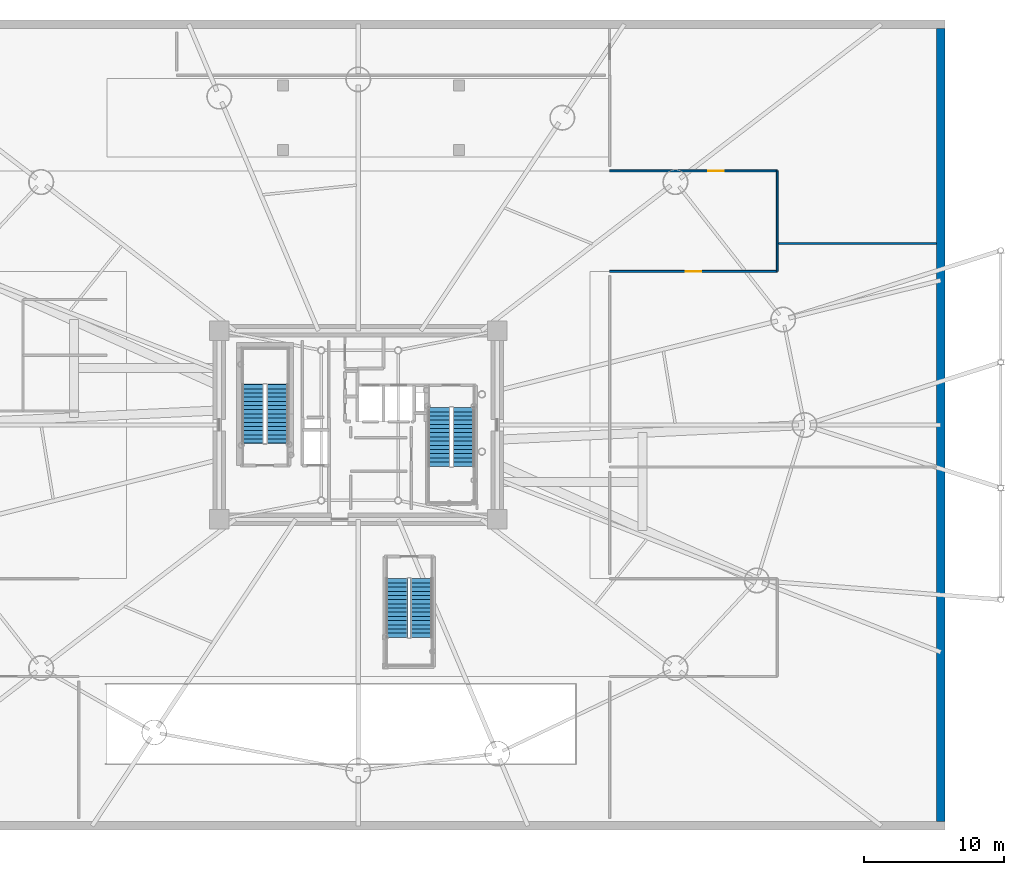
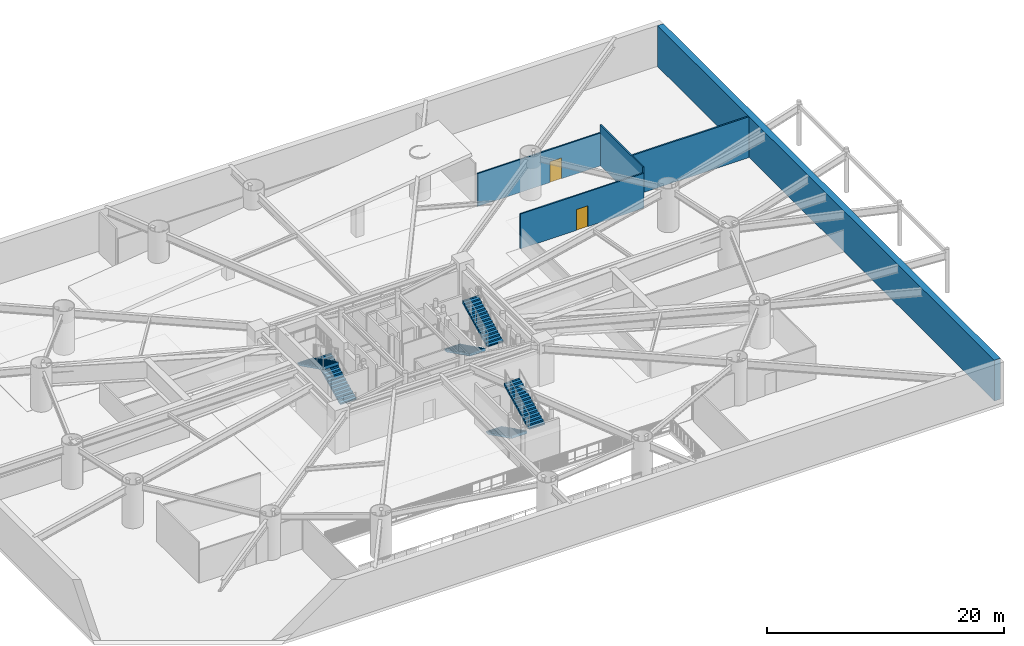
# One storey, part 12 of 21: 6 stair flights, 5 walls, 2 doors, 2 openings, 3 elements without a shape of their own.
"""IFC4 building model written with IfcOpenShell, lengths in metres."""

from ifc_helpers import new_model, si_unit, direction, frame, frame_2d, origin, origin_2d, place, context, subcontext, project, spatial, polyline, rectangle, outline, extrude, source, transform, mapped, material, layer, layer_set, type_object, element, fill, aggregate, save


model = new_model("IFC4")

# Units and contexts
model_context = context("Model", 3, precision=1e-05, world=origin(), true_north=direction((0.0, 1.0)))
body_context = subcontext(model_context, "Body", "Model", "MODEL_VIEW")
ifc_project = project(units=[si_unit("LENGTHUNIT", "METRE"), si_unit("AREAUNIT", "SQUARE_METRE"), si_unit("VOLUMEUNIT", "CUBIC_METRE"), si_unit("PLANEANGLEUNIT", "RADIAN"), si_unit("MASSUNIT", "GRAM", prefix="KILO")], contexts=[model_context])

# Site, building, storey
site_placement = place(None, origin())
site = spatial("IfcSite", under=ifc_project, at=site_placement, CompositionType="ELEMENT")
building_placement = place(site_placement, origin())
building = spatial("IfcBuilding", under=site, at=building_placement, Name="Linh Dai School and Residence Tower", CompositionType="ELEMENT")
storey_placement = place(building_placement, frame((0.0, 0.0, -4.5)))
storey = spatial("IfcBuildingStorey", under=building, at=storey_placement, Name="B01", CompositionType="ELEMENT", Elevation=-4.5)

# Wall, opening, door
ifc_material_1 = material(Name="Autoclaved Aerated Concrete Blockwork", Category="masonry")
ifc_layer_1 = layer(ifc_material_1, 0.135009765625)
ifc_layer_set_1 = layer_set([ifc_layer_1], Name="Autoclaved Aerated Concrete Blockwork")
wall_type_1 = type_object("IfcWallType", Name="IW-CORR-135-EI90", PredefinedType="PARTITIONING", material=ifc_layer_set_1)
wall_1_placement = place(storey_placement, frame((54.0, 38.0, 0.0), z_axis=(0.0, 0.0, 1.0), x_axis=(1.0, 0.0, 0.0)))
wall_1 = element("IfcWall", 1, at=wall_1_placement, inside=storey, type_object=wall_type_1, Name="B01 Interior Partition Wall 039", PredefinedType="PARTITIONING", context=body_context, shape_type="SweptSolid", body=[
    extrude(rectangle(XDim=12.0, YDim=0.135009765625, at=frame_2d((6.0, 0.0))), origin(), (0.0, 0.0, 1.0), 3.5849609375),
])
opening_1_placement = place(wall_1_placement, frame((5.449951171875, 0.0, 0.0)))
opening_1 = element("IfcOpeningElement", 2, at=opening_1_placement, cuts=wall_1, Name="Opening D07", PredefinedType="OPENING", context=body_context, shape_type="SweptSolid", body=[
    extrude(rectangle(XDim=1.10009765625, YDim=2.14990234375, at=origin_2d()), frame((0.550048828125, 0.07763671875, 1.074951171875), z_axis=(0.0, -1.0, 0.0), x_axis=(1.0, 0.0, 0.0)), (0.0, 0.0, 1.0), 0.155029296875),
])
ifc_material_2 = material(Name="Fire-Rated Louvred Steel Plant Door", Category="steel")
door_type = type_object("IfcDoorType", Name="DR-PLT-1100x2150-FD60S", OperationType="NOTDEFINED", PredefinedType="DOOR", material=ifc_material_2)
shared_shape_1 = source(origin(), body_context, "Body", "SweptSolid", [
    extrude(rectangle(XDim=1.10009765625, YDim=2.14990234375, at=origin_2d()), frame((0.550048828125, 0.02490234375, 1.074951171875), z_axis=(0.0, -1.0, 0.0), x_axis=(1.0, 0.0, 0.0)), (0.0, 0.0, 1.0), 0.050048828125),
])
door_1_placement = place(opening_1_placement, origin())
door_1 = element("IfcDoor", 3, at=door_1_placement, inside=storey, type_object=door_type, Name="B01 Chilled Refuse Compaction and Recycling Room Door", OperationType="SINGLE_SWING_LEFT", OverallHeight=2.14990234375, OverallWidth=1.10009765625, PredefinedType="DOOR", context=body_context, shape_type="MappedRepresentation", body=[
    mapped(shared_shape_1, transform((0.0, 0.0, 0.0), x_axis=(1.0, 0.0, 0.0), y_axis=(0.0, 1.0, 0.0), z_axis=(0.0, 0.0, 1.0), scale=1.0)),
])
fill(opening_1, door_1)

wall_2_placement = place(storey_placement, frame((54.0, 45.199951171875, 0.0), z_axis=(0.0, 0.0, 1.0), x_axis=(1.0, 0.0, 0.0)))
wall_2 = element("IfcWall", 4, at=wall_2_placement, inside=storey, type_object=wall_type_1, Name="B01 Interior Partition Wall 040", PredefinedType="PARTITIONING", context=body_context, shape_type="SweptSolid", body=[
    extrude(rectangle(XDim=12.0, YDim=0.135009765625, at=frame_2d((6.0, 0.0))), origin(), (0.0, 0.0, 1.0), 3.385009765625),
])
opening_2_placement = place(wall_2_placement, frame((7.049072265625, 0.0, 0.0)))
opening_2 = element("IfcOpeningElement", 5, at=opening_2_placement, cuts=wall_2, Name="Opening D07", PredefinedType="OPENING", context=body_context, shape_type="SweptSolid", body=[
    extrude(rectangle(XDim=1.10009765625, YDim=2.14990234375, at=origin_2d()), frame((0.550048828125, 0.07763671875, 1.074951171875), z_axis=(0.0, -1.0, 0.0), x_axis=(1.0, 0.0, 0.0)), (0.0, 0.0, 1.0), 0.155029296875),
])
door_2_placement = place(opening_2_placement, origin())
door_2 = element("IfcDoor", 6, at=door_2_placement, inside=storey, type_object=door_type, Name="B01 22 kV EVN Transformer Substation and LV Main Switchboard Door", OperationType="SINGLE_SWING_RIGHT", OverallHeight=2.14990234375, OverallWidth=1.10009765625, PredefinedType="DOOR", context=body_context, shape_type="MappedRepresentation", body=[
    mapped(shared_shape_1, transform((0.0, 0.0, 0.0), x_axis=(1.0, 0.0, 0.0), y_axis=(0.0, 1.0, 0.0), z_axis=(0.0, 0.0, 1.0), scale=1.0)),
])
fill(opening_2, door_2)

# Walls
wall_3_placement = place(storey_placement, frame((66.0, 38.0, 0.0), z_axis=(0.0, 0.0, 1.0), x_axis=(0.0, 1.0, 0.0)))
element("IfcWall", 7, at=wall_3_placement, inside=storey, type_object=wall_type_1, Name="B01 Interior Partition Wall 043", PredefinedType="PARTITIONING", context=body_context, shape_type="SweptSolid", body=[
    extrude(rectangle(XDim=7.199951171875, YDim=0.135009765625, at=frame_2d((3.60009765625, 0.0))), origin(), (0.0, 0.0, 1.0), 4.199951171875),
])
ifc_layer_2 = layer(ifc_material_1, 0.14990234375)
ifc_layer_set_2 = layer_set([ifc_layer_2], Name="Autoclaved Aerated Concrete Blockwork")
wall_type_2 = type_object("IfcWallType", Name="IW-SCH-150-EI60", PredefinedType="PARTITIONING", material=ifc_layer_set_2)
wall_4_placement = place(storey_placement, frame((66.0, 40.0, 0.0), z_axis=(0.0, 0.0, 1.0), x_axis=(1.0, 0.0, 0.0)))
element("IfcWall", 8, at=wall_4_placement, inside=storey, type_object=wall_type_2, Name="B01 Interior Partition Wall 044", PredefinedType="PARTITIONING", context=body_context, shape_type="SweptSolid", body=[
    extrude(rectangle(XDim=11.39990234375, YDim=0.14990234375, at=frame_2d((5.699951171875, 0.0))), origin(), (0.0, 0.0, 1.0), 4.199951171875),
])
ifc_material_3 = material(Name="Concrete B45 (C35/45)", Category="concrete")
ifc_layer_3 = layer(ifc_material_3, 0.60009765625)
ifc_layer_set_3 = layer_set([ifc_layer_3], Name="Concrete B45 (C35/45)")
wall_type_3 = type_object("IfcWallType", Name="WL-RET600", PredefinedType="SHEAR", material=ifc_layer_set_3)
wall_5_placement = place(storey_placement, frame((77.699951171875, 55.39990234375, 0.0), z_axis=(0.0, 0.0, 1.0), x_axis=(0.0, -1.0, 0.0)))
element("IfcWall", 9, at=wall_5_placement, inside=storey, type_object=wall_type_3, Name="B01 Basement Perimeter Retaining Wall E", PredefinedType="SHEAR", context=body_context, shape_type="SweptSolid", body=[
    extrude(rectangle(XDim=56.7998046875, YDim=0.60009765625, at=frame_2d((28.39990234375, 0.0))), origin(), (0.0, 0.0, 1.0), 4.199951171875),
])

# Stair, stair flights
stair_type = type_object("IfcStairType", Name="ST-DOG-1550-R1500", PredefinedType="HALF_TURN_STAIR", material=ifc_material_3)
stair_1_placement = place(storey_placement, origin())
stair_1 = element("IfcStair", 10, at=stair_1_placement, inside=storey, type_object=stair_type, Name="B01 Core Smokeproof Exit Stair ST1", PredefinedType="HALF_TURN_STAIR")
stair_flight_type = type_object("IfcStairFlightType", Name="STF-STR-1550-R1500", PredefinedType="STRAIGHT", material=ifc_material_3)
shared_shape_2 = source(origin(), body_context, "Body", "SweptSolid", [
    extrude(outline(polyline([(-0.02490234375, 0.0), (-0.02490234375, 0.06005859375), (0.0, 0.06005859375), (0.0, 0.14990234375), (0.300048828125, 0.14990234375), (0.300048828125, 0.300048828125), (0.60009765625, 0.300048828125), (0.60009765625, 0.449951171875), (0.89990234375, 0.449951171875), (0.89990234375, 0.60009765625), (1.199951171875, 0.60009765625), (1.199951171875, 0.75), (1.5, 0.75), (1.5, 0.89990234375), (1.800048828125, 0.89990234375), (1.800048828125, 1.050048828125), (2.10009765625, 1.050048828125), (2.10009765625, 1.199951171875), (2.39990234375, 1.199951171875), (2.39990234375, 1.35009765625), (2.699951171875, 1.35009765625), (2.699951171875, 1.5), (3.0, 1.5), (3.0, 1.64990234375), (3.300048828125, 1.64990234375), (3.300048828125, 1.800048828125), (3.60009765625, 1.800048828125), (3.60009765625, 1.949951171875), (3.89990234375, 1.949951171875), (3.89990234375, 2.10009765625), (4.199951171875, 2.10009765625), (4.199951171875, 2.25), (4.22509765625, 2.25), (4.22509765625, 1.932373046875), (4.199951171875, 1.932373046875), (0.335205078125, 0.0), (-0.02490234375, 0.0)])), frame((0.0, 0.77490234375, 0.0), z_axis=(0.0, -1.0, 0.0), x_axis=(1.0, 0.0, 0.0)), (0.0, 0.0, 1.0), 1.550048828125),
])
stair_flight_1_placement = place(storey_placement, frame((30.205078125, 25.699951171875, 0.0), z_axis=(0.0, 0.0, 1.0), x_axis=(0.0, 1.0, 0.0)))
stair_flight_1 = element("IfcStairFlight", 11, at=stair_flight_1_placement, type_object=stair_flight_type, Name="ST1 flight 1", NumberOfRisers=15, NumberOfTreads=14, PredefinedType="STRAIGHT", RiserHeight=0.15, TreadLength=0.3, context=body_context, shape_type="MappedRepresentation", body=[
    mapped(shared_shape_2, transform((0.0, 0.0, 0.0), x_axis=(1.0, 0.0, 0.0), y_axis=(0.0, 1.0, 0.0), z_axis=(0.0, 0.0, 1.0), scale=1.0)),
])
stair_flight_2_placement = place(storey_placement, frame((28.455078125, 29.89990234375, 2.25), z_axis=(0.0, 0.0, 1.0), x_axis=(0.0, -1.0, 0.0)))
stair_flight_2 = element("IfcStairFlight", 12, at=stair_flight_2_placement, type_object=stair_flight_type, Name="ST1 flight 2", NumberOfRisers=15, NumberOfTreads=14, PredefinedType="STRAIGHT", RiserHeight=0.15, TreadLength=0.3, context=body_context, shape_type="MappedRepresentation", body=[
    mapped(shared_shape_2, transform((0.0, 0.0, 0.0), x_axis=(1.0, 0.0, 0.0), y_axis=(0.0, 1.0, 0.0), z_axis=(0.0, 0.0, 1.0), scale=1.0)),
])
aggregate(stair_1, [stair_flight_1, stair_flight_2])

stair_2_placement = place(storey_placement, origin())
stair_2 = element("IfcStair", 13, at=stair_2_placement, inside=storey, type_object=stair_type, Name="B01 Core Smokeproof Exit Stair ST2", PredefinedType="HALF_TURN_STAIR")
stair_flight_3_placement = place(storey_placement, frame((41.794921875, 28.25, 0.0), z_axis=(0.0, 0.0, 1.0), x_axis=(0.0, -1.0, 0.0)))
stair_flight_3 = element("IfcStairFlight", 14, at=stair_flight_3_placement, type_object=stair_flight_type, Name="ST2 flight 1", NumberOfRisers=15, NumberOfTreads=14, PredefinedType="STRAIGHT", RiserHeight=0.15, TreadLength=0.3, context=body_context, shape_type="MappedRepresentation", body=[
    mapped(shared_shape_2, transform((0.0, 0.0, 0.0), x_axis=(1.0, 0.0, 0.0), y_axis=(0.0, 1.0, 0.0), z_axis=(0.0, 0.0, 1.0), scale=1.0)),
])
stair_flight_4_placement = place(storey_placement, frame((43.544921875, 24.050048828125, 2.25), z_axis=(0.0, 0.0, 1.0), x_axis=(0.0, 1.0, 0.0)))
stair_flight_4 = element("IfcStairFlight", 15, at=stair_flight_4_placement, type_object=stair_flight_type, Name="ST2 flight 2", NumberOfRisers=15, NumberOfTreads=14, PredefinedType="STRAIGHT", RiserHeight=0.15, TreadLength=0.3, context=body_context, shape_type="MappedRepresentation", body=[
    mapped(shared_shape_2, transform((0.0, 0.0, 0.0), x_axis=(1.0, 0.0, 0.0), y_axis=(0.0, 1.0, 0.0), z_axis=(0.0, 0.0, 1.0), scale=1.0)),
])
aggregate(stair_2, [stair_flight_3, stair_flight_4])

stair_3_placement = place(storey_placement, origin())
stair_3 = element("IfcStair", 16, at=stair_3_placement, inside=storey, type_object=stair_type, Name="B01 Basement Exit Stair STB1", PredefinedType="HALF_TURN_STAIR")
stair_flight_5_placement = place(storey_placement, frame((38.77490234375, 16.0, 0.0), z_axis=(0.0, 0.0, 1.0), x_axis=(0.0, -1.0, 0.0)))
stair_flight_5 = element("IfcStairFlight", 17, at=stair_flight_5_placement, type_object=stair_flight_type, Name="STB1 flight 1", NumberOfRisers=15, NumberOfTreads=14, PredefinedType="STRAIGHT", RiserHeight=0.15, TreadLength=0.3, context=body_context, shape_type="MappedRepresentation", body=[
    mapped(shared_shape_2, transform((0.0, 0.0, 0.0), x_axis=(1.0, 0.0, 0.0), y_axis=(0.0, 1.0, 0.0), z_axis=(0.0, 0.0, 1.0), scale=1.0)),
])
stair_flight_6_placement = place(storey_placement, frame((40.52490234375, 11.800048828125, 2.25), z_axis=(0.0, 0.0, 1.0), x_axis=(0.0, 1.0, 0.0)))
stair_flight_6 = element("IfcStairFlight", 18, at=stair_flight_6_placement, type_object=stair_flight_type, Name="STB1 flight 2", NumberOfRisers=15, NumberOfTreads=14, PredefinedType="STRAIGHT", RiserHeight=0.15, TreadLength=0.3, context=body_context, shape_type="MappedRepresentation", body=[
    mapped(shared_shape_2, transform((0.0, 0.0, 0.0), x_axis=(1.0, 0.0, 0.0), y_axis=(0.0, 1.0, 0.0), z_axis=(0.0, 0.0, 1.0), scale=1.0)),
])
aggregate(stair_3, [stair_flight_5, stair_flight_6])

save(model, "model.ifc")
